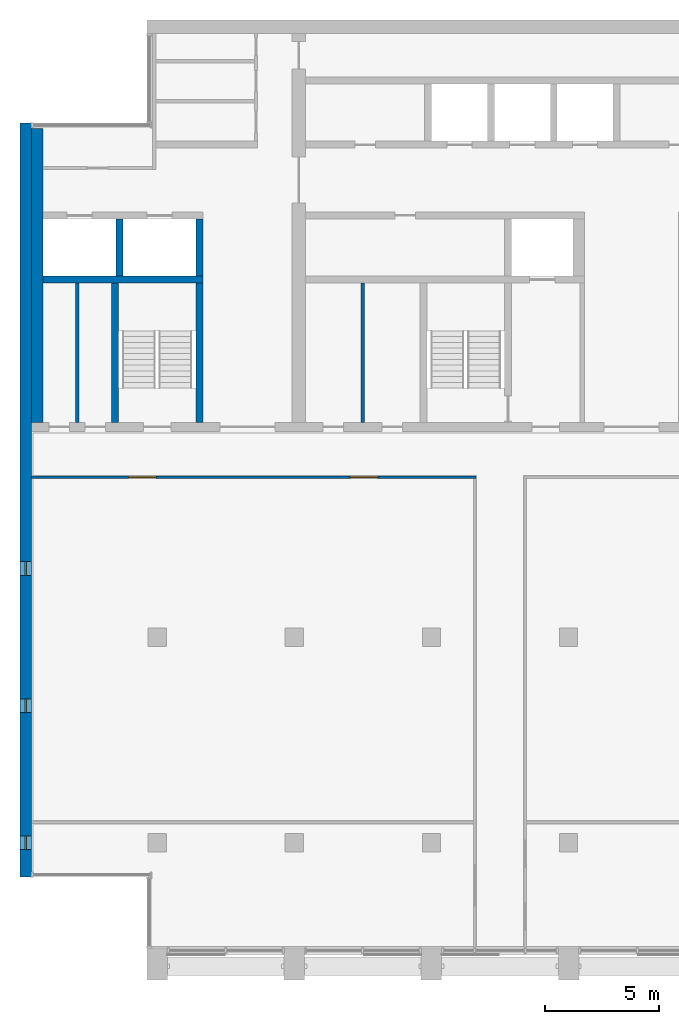
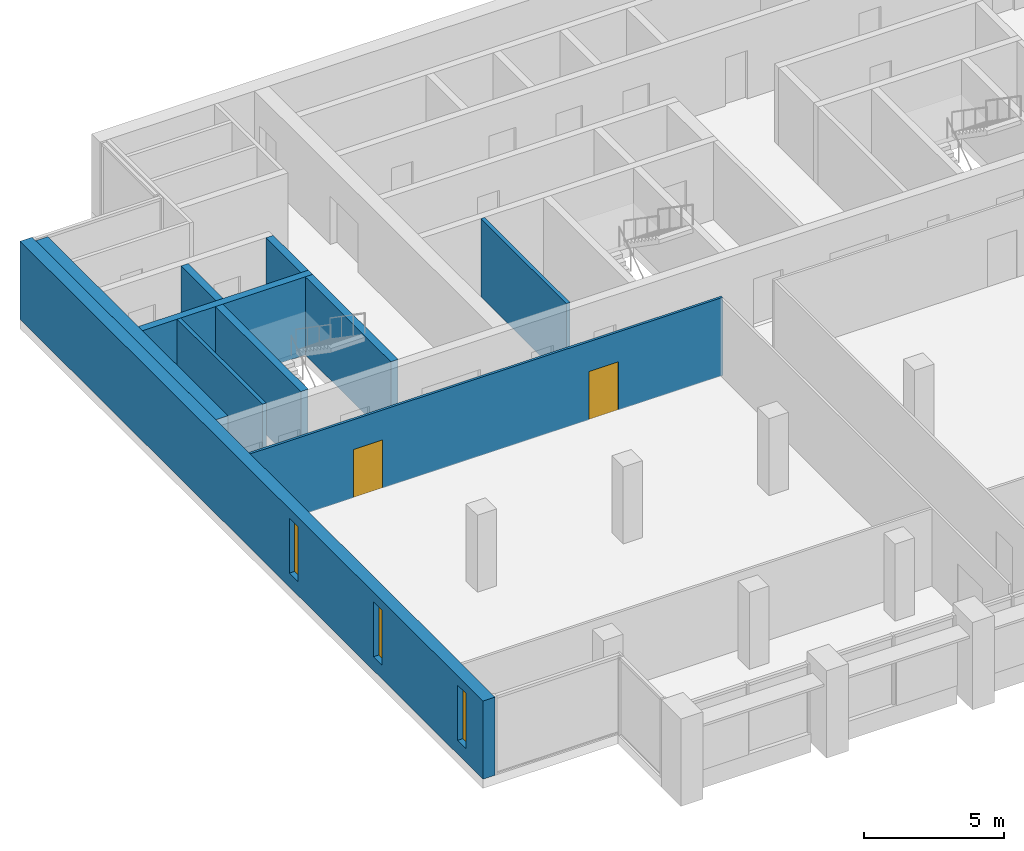
# One storey, part 7 of 14: 10 walls, 3 windows, 2 doors, 5 openings.
"""IFC4 building model written with IfcOpenShell, lengths in metres."""

from ifc_helpers import new_model, si_unit, direction, frame, frame_2d, origin, place, context, subcontext, project, spatial, rectangle, extrude, material, layer, layer_set, type_object, element, fill, save


model = new_model("IFC4")

# Units and contexts
model_context = context("Model", 3, precision=1e-05, world=origin(), true_north=direction((0.0, 1.0)))
body_context = subcontext(model_context, "Body", "Model", "MODEL_VIEW")
ifc_project = project(units=[si_unit("LENGTHUNIT", "METRE"), si_unit("AREAUNIT", "SQUARE_METRE"), si_unit("VOLUMEUNIT", "CUBIC_METRE"), si_unit("PLANEANGLEUNIT", "RADIAN"), si_unit("MASSUNIT", "GRAM", prefix="KILO")], contexts=[model_context])

# Site, building, storey
site_placement = place(None, origin())
site = spatial("IfcSite", under=ifc_project, at=site_placement, CompositionType="ELEMENT")
building_placement = place(site_placement, origin())
building = spatial("IfcBuilding", under=site, at=building_placement, Name="Calvaro Tower", CompositionType="ELEMENT")
storey_placement = place(building_placement, frame((0.0, 0.0, 258.35009765625)))
storey = spatial("IfcBuildingStorey", under=building, at=storey_placement, Name="L65", CompositionType="ELEMENT", Elevation=258.35009765625)

# Walls
ifc_material_1 = material(Name="Blockwork partition", Category="masonry")
ifc_layer_1 = layer(ifc_material_1, 0.14990234375)
ifc_layer_set_1 = layer_set([ifc_layer_1], Name="Blockwork partition")
wall_type_1 = type_object("IfcWallType", Name="Core partition 150 EI 60", PredefinedType="PARTITIONING", material=ifc_layer_set_1)
wall_1_placement = place(storey_placement, frame((21.0, 28.39990234375, 0.0), z_axis=(0.0, 0.0, 1.0), x_axis=(0.0, 1.0, 0.0)))
element("IfcWall", 1, at=wall_1_placement, inside=storey, type_object=wall_type_1, Name="Core partition", PredefinedType="PARTITIONING", context=body_context, shape_type="SweptSolid", body=[
    extrude(rectangle(XDim=6.10009765625, YDim=0.14990234375, at=frame_2d((3.050048828125, 0.0))), origin(), (0.0, 0.0, 1.0), 3.39990234375),
])
ifc_material_2 = material(Name="Blockwork partition", Category="masonry")
ifc_layer_2 = layer(ifc_material_2, 0.14990234375)
ifc_layer_set_2 = layer_set([ifc_layer_2], Name="Blockwork partition")
wall_type_2 = type_object("IfcWallType", Name="Core partition 150 REI 120", PredefinedType="PARTITIONING", material=ifc_layer_set_2)
wall_2_placement = place(storey_placement, frame((8.5, 28.39990234375, 0.0), z_axis=(0.0, 0.0, 1.0), x_axis=(0.0, 1.0, 0.0)))
element("IfcWall", 2, at=wall_2_placement, inside=storey, type_object=wall_type_2, Name="Core partition", PredefinedType="PARTITIONING", context=body_context, shape_type="SweptSolid", body=[
    extrude(rectangle(XDim=6.10009765625, YDim=0.14990234375, at=frame_2d((3.050048828125, 0.0))), origin(), (0.0, 0.0, 1.0), 3.39990234375),
])
ifc_material_3 = material(Name="Concrete C40/50", Category="concrete")
ifc_layer_3 = layer(ifc_material_3, 0.300048828125)
ifc_layer_set_3 = layer_set([ifc_layer_3], Name="Concrete C40/50")
wall_type_3 = type_object("IfcWallType", Name="Core wall C40/50 300", PredefinedType="SHEAR", material=ifc_layer_set_3)
for number, where, z_axis, x_axis, name in (
    (3, (10.14990234375, 28.39990234375, 0.0), (0.0, 0.0, 1.0), (0.0, 1.0, 0.0), "Core wall, stair enclosure"),
    (4, (13.85009765625, 28.39990234375, 0.0), (0.0, 0.0, 1.0), (0.0, 1.0, 0.0), "Core wall, stair enclosure"),
):
    element("IfcWall", number, at=place(storey_placement, frame(where, z_axis=z_axis, x_axis=x_axis)), inside=storey, type_object=wall_type_3, Name=name, PredefinedType="SHEAR", context=body_context, shape_type="SweptSolid", body=[
        extrude(rectangle(XDim=6.10009765625, YDim=0.300048828125, at=frame_2d((3.050048828125, 0.0))), origin(), (0.0, 0.0, 1.0), 3.39990234375),
    ])
wall_3_placement = place(storey_placement, frame((7.0, 34.64990234375, 0.0), z_axis=(0.0, 0.0, 1.0), x_axis=(1.0, 0.0, 0.0)))
element("IfcWall", 5, at=wall_3_placement, inside=storey, type_object=wall_type_3, Name="Core wall, lift shaft", PredefinedType="SHEAR", context=body_context, shape_type="SweptSolid", body=[
    extrude(rectangle(XDim=7.0, YDim=0.300048828125, at=frame_2d((3.5, 0.0))), origin(), (0.0, 0.0, 1.0), 3.39990234375),
])
for number, where, z_axis, x_axis, name in (
    (6, (13.85009765625, 34.800048828125, 0.0), (0.0, 0.0, 1.0), (0.0, 1.0, 0.0), "Core wall, lift shaft"),
    (7, (10.35009765625, 34.800048828125, 0.0), (0.0, 0.0, 1.0), (0.0, 1.0, 0.0), "Core wall, lift shaft"),
):
    element("IfcWall", number, at=place(storey_placement, frame(where, z_axis=z_axis, x_axis=x_axis)), inside=storey, type_object=wall_type_3, Name=name, PredefinedType="SHEAR", context=body_context, shape_type="SweptSolid", body=[
        extrude(rectangle(XDim=2.5, YDim=0.300048828125, at=frame_2d((1.25, 0.0))), origin(), (0.0, 0.0, 1.0), 3.39990234375),
    ])
ifc_material_4 = material(Name="Concrete C40/50", Category="concrete")
ifc_layer_4 = layer(ifc_material_4, 0.5)
ifc_layer_set_4 = layer_set([ifc_layer_4], Name="Concrete C40/50")
wall_type_4 = type_object("IfcWallType", Name="Core wall C40/50 500", PredefinedType="SHEAR", material=ifc_layer_set_4)
wall_4_placement = place(storey_placement, frame((6.75, 28.39990234375, 0.0), z_axis=(0.0, 0.0, 1.0), x_axis=(0.0, 1.0, 0.0)))
element("IfcWall", 8, at=wall_4_placement, inside=storey, type_object=wall_type_4, Name="Core wall, boundary", PredefinedType="SHEAR", context=body_context, shape_type="SweptSolid", body=[
    extrude(rectangle(XDim=12.85009765625, YDim=0.5, at=frame_2d((6.425048828125, 0.0))), origin(), (0.0, 0.0, 1.0), 3.39990234375),
])

# Wall, openings, windows
ifc_material_5 = material(Name="Concrete C40/50", Category="concrete")
ifc_layer_5 = layer(ifc_material_5, 0.5)
ifc_layer_set_5 = layer_set([ifc_layer_5], Name="Concrete C40/50")
wall_type_5 = type_object("IfcWallType", Name="End wall 500 C40/50", PredefinedType="SHEAR", material=ifc_layer_set_5)
wall_5_placement = place(storey_placement, frame((6.25, 8.5, 0.0), z_axis=(0.0, 0.0, 1.0), x_axis=(0.0, 1.0, 0.0)))
wall_5 = element("IfcWall", 9, at=wall_5_placement, inside=storey, type_object=wall_type_5, Name="End shear wall", PredefinedType="SHEAR", context=body_context, shape_type="SweptSolid", body=[
    extrude(rectangle(XDim=33.0, YDim=0.5, at=frame_2d((16.5, 0.0))), origin(), (0.0, 0.0, 1.0), 3.39990234375),
])
opening_1_placement = place(wall_5_placement, frame((1.199951171875, 0.0, 0.60009765625)))
opening_1 = element("IfcOpeningElement", 10, at=opening_1_placement, cuts=wall_5, Name="Opening WW01", PredefinedType="OPENING", context=body_context, shape_type="SweptSolid", body=[
    extrude(rectangle(XDim=0.60009765625, YDim=2.39990234375, at=frame_2d((0.300048828125, 1.199951171875))), frame((0.0, 0.260009765625, 0.0), z_axis=(0.0, -1.0, 0.0), x_axis=(1.0, 0.0, 0.0)), (0.0, 0.0, 1.0), 0.52001953125),
])
opening_2_placement = place(wall_5_placement, frame((7.199951171875, 0.0, 0.60009765625)))
opening_2 = element("IfcOpeningElement", 11, at=opening_2_placement, cuts=wall_5, Name="Opening WW02", PredefinedType="OPENING", context=body_context, shape_type="SweptSolid", body=[
    extrude(rectangle(XDim=0.60009765625, YDim=2.39990234375, at=frame_2d((0.300048828125, 1.199951171875))), frame((0.0, 0.260009765625, 0.0), z_axis=(0.0, -1.0, 0.0), x_axis=(1.0, 0.0, 0.0)), (0.0, 0.0, 1.0), 0.52001953125),
])
opening_3_placement = place(wall_5_placement, frame((13.199951171875, 0.0, 0.60009765625)))
opening_3 = element("IfcOpeningElement", 12, at=opening_3_placement, cuts=wall_5, Name="Opening WW03", PredefinedType="OPENING", context=body_context, shape_type="SweptSolid", body=[
    extrude(rectangle(XDim=0.60009765625, YDim=2.39990234375, at=frame_2d((0.300048828125, 1.199951171875))), frame((0.0, 0.260009765625, 0.0), z_axis=(0.0, -1.0, 0.0), x_axis=(1.0, 0.0, 0.0)), (0.0, 0.0, 1.0), 0.52001953125),
])
ifc_material_6 = material(Name="Glass", Category="glass")
window_type = type_object("IfcWindowType", Name="Slit window 600 x 2400", PartitioningType="SINGLE_PANEL", PredefinedType="WINDOW", material=ifc_material_6)
window_1_placement = place(opening_1_placement, origin())
window_1 = element("IfcWindow", 13, at=window_1_placement, inside=storey, type_object=window_type, Name="Window WW01", OverallHeight=2.39990234375, OverallWidth=0.60009765625, PartitioningType="SINGLE_PANEL", PredefinedType="WINDOW", context=body_context, shape_type="SweptSolid", body=[
    extrude(rectangle(XDim=0.60009765625, YDim=2.39990234375, at=frame_2d((0.300048828125, 1.199951171875))), frame((0.0, 0.030029296875, 0.0), z_axis=(0.0, -1.0, 0.0), x_axis=(1.0, 0.0, 0.0)), (0.0, 0.0, 1.0), 0.06005859375),
])
fill(opening_1, window_1)
window_2_placement = place(opening_2_placement, origin())
window_2 = element("IfcWindow", 14, at=window_2_placement, inside=storey, type_object=window_type, Name="Window WW02", OverallHeight=2.39990234375, OverallWidth=0.60009765625, PartitioningType="SINGLE_PANEL", PredefinedType="WINDOW", context=body_context, shape_type="SweptSolid", body=[
    extrude(rectangle(XDim=0.60009765625, YDim=2.39990234375, at=frame_2d((0.300048828125, 1.199951171875))), frame((0.0, 0.030029296875, 0.0), z_axis=(0.0, -1.0, 0.0), x_axis=(1.0, 0.0, 0.0)), (0.0, 0.0, 1.0), 0.06005859375),
])
fill(opening_2, window_2)
window_3_placement = place(opening_3_placement, origin())
window_3 = element("IfcWindow", 15, at=window_3_placement, inside=storey, type_object=window_type, Name="Window WW03", OverallHeight=2.39990234375, OverallWidth=0.60009765625, PartitioningType="SINGLE_PANEL", PredefinedType="WINDOW", context=body_context, shape_type="SweptSolid", body=[
    extrude(rectangle(XDim=0.60009765625, YDim=2.39990234375, at=frame_2d((0.300048828125, 1.199951171875))), frame((0.0, 0.030029296875, 0.0), z_axis=(0.0, -1.0, 0.0), x_axis=(1.0, 0.0, 0.0)), (0.0, 0.0, 1.0), 0.06005859375),
])
fill(opening_3, window_3)

# Wall, openings, doors
ifc_material_7 = material(Name="Plasterboard on steel studs", Category="steel")
ifc_layer_6 = layer(ifc_material_7, 0.10009765625)
ifc_layer_set_6 = layer_set([ifc_layer_6], Name="Plasterboard on steel studs")
wall_type_6 = type_object("IfcWallType", Name="Partition 100", PredefinedType="PARTITIONING", material=ifc_layer_set_6)
wall_6_placement = place(storey_placement, frame((6.5, 26.0, 0.0), z_axis=(0.0, 0.0, 1.0), x_axis=(1.0, 0.0, 0.0)))
wall_6 = element("IfcWall", 16, at=wall_6_placement, inside=storey, type_object=wall_type_6, Name="Partition T37.W003", PredefinedType="PARTITIONING", context=body_context, shape_type="SweptSolid", body=[
    extrude(rectangle(XDim=19.449951171875, YDim=0.10009765625, at=frame_2d((9.72509765625, 0.0))), origin(), (0.0, 0.0, 1.0), 3.39990234375),
])
opening_4_placement = place(wall_6_placement, frame((4.25, 0.0, 0.0)))
opening_4 = element("IfcOpeningElement", 17, at=opening_4_placement, cuts=wall_6, Name="Opening T37.004", PredefinedType="OPENING", context=body_context, shape_type="SweptSolid", body=[
    extrude(rectangle(XDim=1.199951171875, YDim=2.10009765625, at=frame_2d((0.60009765625, 1.050048828125))), frame((0.0, 0.06005859375, 0.0), z_axis=(0.0, -1.0, 0.0), x_axis=(1.0, 0.0, 0.0)), (0.0, 0.0, 1.0), 0.1201171875),
])
opening_5_placement = place(wall_6_placement, frame((13.949951171875, 0.0, 0.0)))
opening_5 = element("IfcOpeningElement", 18, at=opening_5_placement, cuts=wall_6, Name="Opening T37.005", PredefinedType="OPENING", context=body_context, shape_type="SweptSolid", body=[
    extrude(rectangle(XDim=1.199951171875, YDim=2.10009765625, at=frame_2d((0.60009765625, 1.050048828125))), frame((0.0, 0.06005859375, 0.0), z_axis=(0.0, -1.0, 0.0), x_axis=(1.0, 0.0, 0.0)), (0.0, 0.0, 1.0), 0.1201171875),
])
ifc_material_8 = material(Name="Timber", Category="wood")
door_type = type_object("IfcDoorType", Name="Internal single door 1200 x 2100", OperationType="SINGLE_SWING_LEFT", PredefinedType="DOOR", material=ifc_material_8)
door_1_placement = place(opening_4_placement, origin())
door_1 = element("IfcDoor", 19, at=door_1_placement, inside=storey, type_object=door_type, Name="Door T37.004", OperationType="SINGLE_SWING_LEFT", OverallHeight=2.10009765625, OverallWidth=1.199951171875, PredefinedType="DOOR", context=body_context, shape_type="SweptSolid", body=[
    extrude(rectangle(XDim=1.199951171875, YDim=2.10009765625, at=frame_2d((0.60009765625, 1.050048828125))), frame((0.0, 0.02490234375, 0.0), z_axis=(0.0, -1.0, 0.0), x_axis=(1.0, 0.0, 0.0)), (0.0, 0.0, 1.0), 0.050048828125),
])
fill(opening_4, door_1)
door_2_placement = place(opening_5_placement, origin())
door_2 = element("IfcDoor", 20, at=door_2_placement, inside=storey, type_object=door_type, Name="Door T37.005", OperationType="SINGLE_SWING_RIGHT", OverallHeight=2.10009765625, OverallWidth=1.199951171875, PredefinedType="DOOR", context=body_context, shape_type="SweptSolid", body=[
    extrude(rectangle(XDim=1.199951171875, YDim=2.10009765625, at=frame_2d((0.60009765625, 1.050048828125))), frame((0.0, 0.02490234375, 0.0), z_axis=(0.0, -1.0, 0.0), x_axis=(1.0, 0.0, 0.0)), (0.0, 0.0, 1.0), 0.050048828125),
])
fill(opening_5, door_2)

save(model, "model.ifc")
